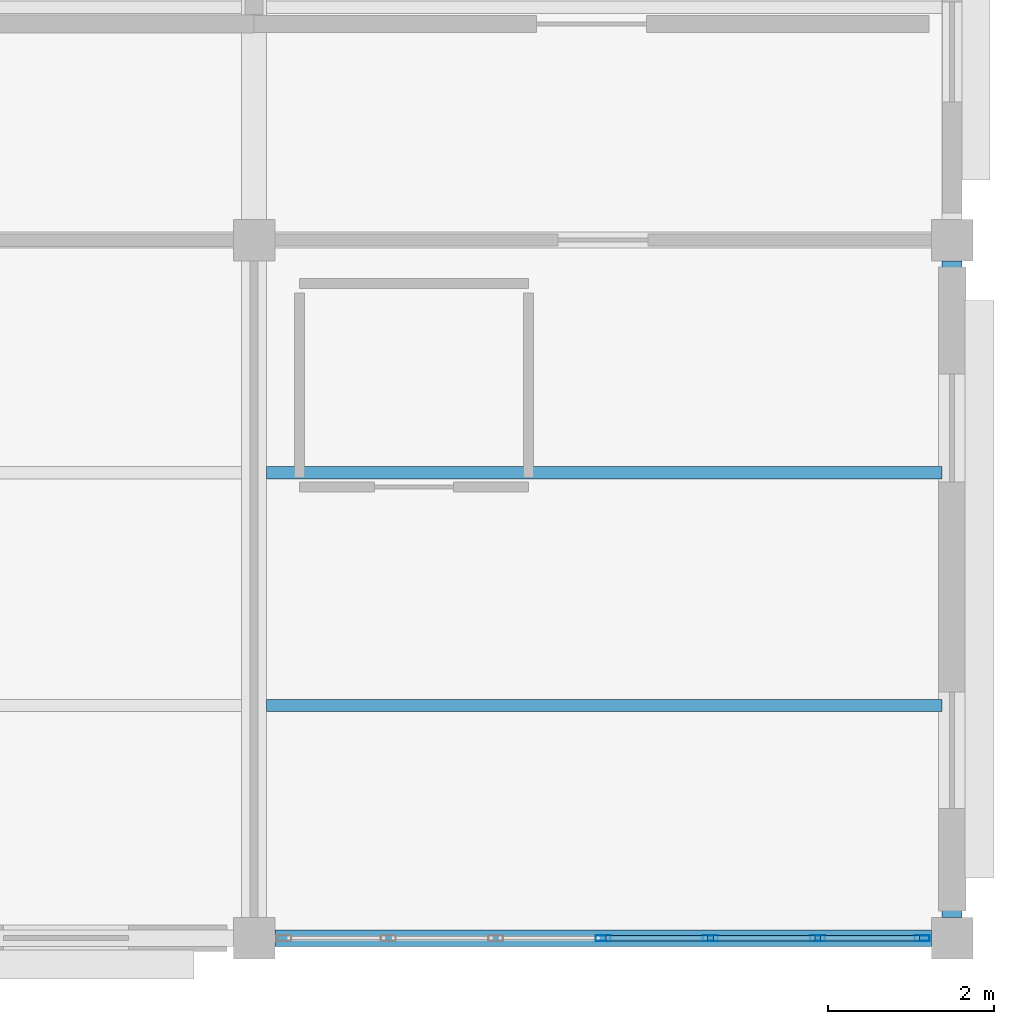
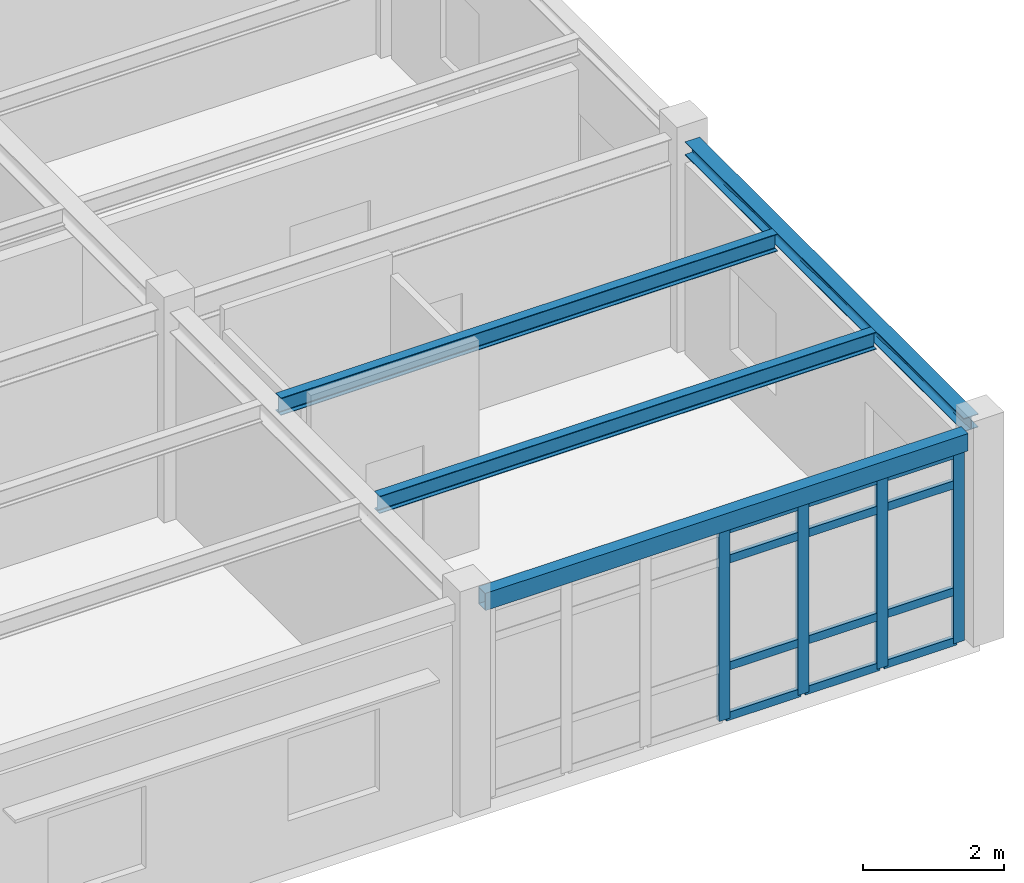
# One storey, part 32 of 86: 16 members, 4 beams, 1 element without a shape of its own.
"""IFC4 building model written with IfcOpenShell, lengths in metres."""

from ifc_helpers import new_model, si_unit, direction, frame, origin, origin_2d, place, context, subcontext, project, spatial, hollow_rectangle, i_section, extrude, material, layer, layer_set, material_profile, profile_set, type_object, element, aggregate, save


model = new_model("IFC4")

# Units and contexts
model_context = context("Model", 3, precision=1e-05, world=origin(), true_north=direction((0.0, 1.0)))
body_context = subcontext(model_context, "Body", "Model", "MODEL_VIEW")
ifc_project = project(units=[si_unit("LENGTHUNIT", "METRE"), si_unit("AREAUNIT", "SQUARE_METRE"), si_unit("VOLUMEUNIT", "CUBIC_METRE"), si_unit("PLANEANGLEUNIT", "RADIAN"), si_unit("MASSUNIT", "GRAM", prefix="KILO")], contexts=[model_context])

# Site, building, storey
site_placement = place(None, origin())
site = spatial("IfcSite", under=ifc_project, at=site_placement, CompositionType="ELEMENT")
building_placement = place(site_placement, origin())
building = spatial("IfcBuilding", under=site, at=building_placement, Name="Bramfleet General Hospital", CompositionType="ELEMENT")
storey_placement = place(building_placement, frame((0.0, 0.0, 18.60009765625)))
storey = spatial("IfcBuildingStorey", under=building, at=storey_placement, Name="L04", CompositionType="ELEMENT", Elevation=18.60009765625)

# Beams
ifc_material_1 = material(Name="Steel S355", Category="steel")
ifc_material_profile_1 = material_profile(ifc_material_1, i_section(OverallWidth=0.239990234375, OverallDepth=0.22998046875, WebThickness=0.007568359375, FlangeThickness=0.011962890625, FilletRadius=0.02099609375, at=origin_2d()), Name="HEA 240")
ifc_profile_set_1 = profile_set([ifc_material_profile_1], Name="Steel S355")
beam_type_1 = type_object("IfcBeamType", Name="BM-HEA240", PredefinedType="SPANDREL", material=ifc_profile_set_1)
beam_1_placement = place(storey_placement, frame((168.0, 0.25, 3.494873046875), z_axis=(0.0, 1.0, 0.0), x_axis=(-1.0, 0.0, 0.0)))
element("IfcBeam", 1, at=beam_1_placement, inside=storey, type_object=beam_type_1, Name="L04 Grid Beam Y 20-00", PredefinedType="SPANDREL", context=body_context, shape_type="SweptSolid", body=[
    extrude(i_section(OverallWidth=0.239990234375, OverallDepth=0.22998046875, WebThickness=0.007568359375, FlangeThickness=0.011962890625, FilletRadius=0.02099609375, at=origin_2d()), origin(), (0.0, 0.0, 1.0), 7.89990234375),
])
ifc_material_profile_2 = material_profile(ifc_material_1, i_section(OverallWidth=0.14990234375, OverallDepth=0.300048828125, WebThickness=0.007080078125, FlangeThickness=0.0107421875, FilletRadius=0.014892578125, at=origin_2d()), Name="IPE 300")
ifc_profile_set_2 = profile_set([ifc_material_profile_2], Name="Steel S355")
beam_type_2 = type_object("IfcBeamType", Name="BM-IPE300", PredefinedType="JOIST", material=ifc_profile_set_2)
for number, where, z_axis, x_axis, name in (
    (2, (159.75, 2.800048828125, 3.4599609375), (1.0, 0.0, 0.0), (0.0, 1.0, 0.0), "L04 Secondary Joist 19-00-1"),
    (3, (159.75, 5.60009765625, 3.4599609375), (1.0, 0.0, 0.0), (0.0, 1.0, 0.0), "L04 Secondary Joist 19-00-2"),
):
    element("IfcBeam", number, at=place(storey_placement, frame(where, z_axis=z_axis, x_axis=x_axis)), inside=storey, type_object=beam_type_2, Name=name, PredefinedType="JOIST", context=body_context, shape_type="SweptSolid", body=[
        extrude(i_section(OverallWidth=0.14990234375, OverallDepth=0.300048828125, WebThickness=0.007080078125, FlangeThickness=0.0107421875, FilletRadius=0.014892578125, at=origin_2d()), origin(), (0.0, 0.0, 1.0), 8.1298828125),
    ])
ifc_material_profile_3 = material_profile(ifc_material_1, hollow_rectangle(XDim=0.199951171875, YDim=0.300048828125, WallThickness=0.012451171875, at=origin_2d()), Name="RHS 300x200x12.5")
ifc_profile_set_3 = profile_set([ifc_material_profile_3], Name="Steel S355")
beam_type_3 = type_object("IfcBeamType", Name="BM-RHS300", PredefinedType="SPANDREL", material=ifc_profile_set_3)
beam_2_placement = place(storey_placement, frame((159.85009765625, 0.0, 3.4599609375), z_axis=(1.0, 0.0, 0.0), x_axis=(0.0, 1.0, 0.0)))
element("IfcBeam", 4, at=beam_2_placement, inside=storey, type_object=beam_type_3, Name="L04 Grid Beam X 19-00", PredefinedType="SPANDREL", context=body_context, shape_type="SweptSolid", body=[
    extrude(hollow_rectangle(XDim=0.199951171875, YDim=0.300048828125, WallThickness=0.012451171875, at=origin_2d()), origin(), (0.0, 0.0, 1.0), 7.89990234375),
])

# Curtain wall, members
ifc_material_2 = material(Name="Anodised aluminium and low-E triple glazing", Category="aluminium")
ifc_layer = layer(ifc_material_2, 0.179931640625, Name="CWT-CW-15")
ifc_layer_set = layer_set([ifc_layer], Name="Anodised aluminium and low-E triple glazing")
curtain_wall_type = type_object("IfcCurtainWallType", Name="CWT-CW-15", PredefinedType="USERDEFINED", material=ifc_layer_set)
curtain_wall_placement = place(storey_placement, origin())
curtain_wall = element("IfcCurtainWall", 5, at=curtain_wall_placement, inside=storey, type_object=curtain_wall_type, Name="L04 Curtain Wall 195", ObjectType="Stick curtain wall", PredefinedType="USERDEFINED")
ifc_material_3 = material(Name="Anodised aluminium EN AW-6060", Category="aluminium")
ifc_material_profile_4 = material_profile(ifc_material_3, hollow_rectangle(XDim=0.070068359375, YDim=0.179931640625, WallThickness=0.00390625, at=origin_2d()), Name="ALU 180x70x4.0")
ifc_profile_set_4 = profile_set([ifc_material_profile_4], Name="Anodised aluminium EN AW-6060")
member_type_1 = type_object("IfcMemberType", Name="CWM-ALU180", PredefinedType="MULLION", material=ifc_profile_set_4)
member_1_placement = place(storey_placement, frame((167.639892578125, 0.0, 0.0), z_axis=(0.0, 0.0, 1.0), x_axis=(0.0, -1.0, 0.0)))
member_1 = element("IfcMember", 6, at=member_1_placement, type_object=member_type_1, Name="CW-15 mullion 1", PredefinedType="MULLION", context=body_context, shape_type="SweptSolid", body=[
    extrude(hollow_rectangle(XDim=0.070068359375, YDim=0.179931640625, WallThickness=0.00390625, at=origin_2d()), origin(), (0.0, 0.0, 1.0), 3.2998046875),
])
member_2_placement = place(storey_placement, frame((166.38330078125, 0.0, 0.0), z_axis=(0.0, 0.0, 1.0), x_axis=(0.0, -1.0, 0.0)))
member_2 = element("IfcMember", 7, at=member_2_placement, type_object=member_type_1, Name="CW-15 mullion 2", PredefinedType="MULLION", context=body_context, shape_type="SweptSolid", body=[
    extrude(hollow_rectangle(XDim=0.070068359375, YDim=0.179931640625, WallThickness=0.00390625, at=origin_2d()), origin(), (0.0, 0.0, 1.0), 3.2998046875),
])
member_3_placement = place(storey_placement, frame((165.091552734375, 0.0, 0.0), z_axis=(0.0, 0.0, 1.0), x_axis=(0.0, -1.0, 0.0)))
member_3 = element("IfcMember", 8, at=member_3_placement, type_object=member_type_1, Name="CW-15 mullion 3", PredefinedType="MULLION", context=body_context, shape_type="SweptSolid", body=[
    extrude(hollow_rectangle(XDim=0.070068359375, YDim=0.179931640625, WallThickness=0.00390625, at=origin_2d()), origin(), (0.0, 0.0, 1.0), 3.2998046875),
])
member_4_placement = place(storey_placement, frame((163.800048828125, 0.0, 0.0), z_axis=(0.0, 0.0, 1.0), x_axis=(0.0, -1.0, 0.0)))
member_4 = element("IfcMember", 9, at=member_4_placement, type_object=member_type_1, Name="CW-15 mullion 4", PredefinedType="MULLION", context=body_context, shape_type="SweptSolid", body=[
    extrude(hollow_rectangle(XDim=0.070068359375, YDim=0.179931640625, WallThickness=0.00390625, at=origin_2d()), origin(), (0.0, 0.0, 1.0), 3.2998046875),
])
ifc_material_profile_5 = material_profile(ifc_material_3, hollow_rectangle(XDim=0.06494140625, YDim=0.139892578125, WallThickness=0.00390625, at=origin_2d()), Name="ALU 140x65x4.0")
ifc_profile_set_5 = profile_set([ifc_material_profile_5], Name="Anodised aluminium EN AW-6060")
member_type_2 = type_object("IfcMemberType", Name="CWT-ALU140", PredefinedType="USERDEFINED", material=ifc_profile_set_5)
member_5_placement = place(storey_placement, frame((167.60498046875, 0.0, 0.032470703125), z_axis=(-1.0, 0.0, 0.0), x_axis=(0.0, -1.0, 0.0)))
member_5 = element("IfcMember", 10, at=member_5_placement, type_object=member_type_2, Name="CW-15 transom 1.1", ObjectType="TRANSOM", PredefinedType="USERDEFINED", context=body_context, shape_type="SweptSolid", body=[
    extrude(hollow_rectangle(XDim=0.06494140625, YDim=0.139892578125, WallThickness=0.00390625, at=origin_2d()), origin(), (0.0, 0.0, 1.0), 1.186767578125),
])
member_6_placement = place(storey_placement, frame((167.60498046875, 0.0, 0.89990234375), z_axis=(-1.0, 0.0, 0.0), x_axis=(0.0, -1.0, 0.0)))
member_6 = element("IfcMember", 11, at=member_6_placement, type_object=member_type_2, Name="CW-15 transom 1.2", ObjectType="TRANSOM", PredefinedType="USERDEFINED", context=body_context, shape_type="SweptSolid", body=[
    extrude(hollow_rectangle(XDim=0.06494140625, YDim=0.139892578125, WallThickness=0.00390625, at=origin_2d()), origin(), (0.0, 0.0, 1.0), 1.186767578125),
])
member_7_placement = place(storey_placement, frame((167.60498046875, 0.0, 2.75), z_axis=(-1.0, 0.0, 0.0), x_axis=(0.0, -1.0, 0.0)))
member_7 = element("IfcMember", 12, at=member_7_placement, type_object=member_type_2, Name="CW-15 transom 1.3", ObjectType="TRANSOM", PredefinedType="USERDEFINED", context=body_context, shape_type="SweptSolid", body=[
    extrude(hollow_rectangle(XDim=0.06494140625, YDim=0.139892578125, WallThickness=0.00390625, at=origin_2d()), origin(), (0.0, 0.0, 1.0), 1.186767578125),
])
member_8_placement = place(storey_placement, frame((167.60498046875, 0.0, 3.267333984375), z_axis=(-1.0, 0.0, 0.0), x_axis=(0.0, -1.0, 0.0)))
member_8 = element("IfcMember", 13, at=member_8_placement, type_object=member_type_2, Name="CW-15 transom 1.4", ObjectType="TRANSOM", PredefinedType="USERDEFINED", context=body_context, shape_type="SweptSolid", body=[
    extrude(hollow_rectangle(XDim=0.06494140625, YDim=0.139892578125, WallThickness=0.00390625, at=origin_2d()), origin(), (0.0, 0.0, 1.0), 1.186767578125),
])
member_9_placement = place(storey_placement, frame((166.348388671875, 0.0, 0.032470703125), z_axis=(-1.0, 0.0, 0.0), x_axis=(0.0, -1.0, 0.0)))
member_9 = element("IfcMember", 14, at=member_9_placement, type_object=member_type_2, Name="CW-15 transom 2.1", ObjectType="TRANSOM", PredefinedType="USERDEFINED", context=body_context, shape_type="SweptSolid", body=[
    extrude(hollow_rectangle(XDim=0.06494140625, YDim=0.139892578125, WallThickness=0.00390625, at=origin_2d()), origin(), (0.0, 0.0, 1.0), 1.2216796875),
])
member_10_placement = place(storey_placement, frame((166.348388671875, 0.0, 0.89990234375), z_axis=(-1.0, 0.0, 0.0), x_axis=(0.0, -1.0, 0.0)))
member_10 = element("IfcMember", 15, at=member_10_placement, type_object=member_type_2, Name="CW-15 transom 2.2", ObjectType="TRANSOM", PredefinedType="USERDEFINED", context=body_context, shape_type="SweptSolid", body=[
    extrude(hollow_rectangle(XDim=0.06494140625, YDim=0.139892578125, WallThickness=0.00390625, at=origin_2d()), origin(), (0.0, 0.0, 1.0), 1.2216796875),
])
member_11_placement = place(storey_placement, frame((166.348388671875, 0.0, 2.75), z_axis=(-1.0, 0.0, 0.0), x_axis=(0.0, -1.0, 0.0)))
member_11 = element("IfcMember", 16, at=member_11_placement, type_object=member_type_2, Name="CW-15 transom 2.3", ObjectType="TRANSOM", PredefinedType="USERDEFINED", context=body_context, shape_type="SweptSolid", body=[
    extrude(hollow_rectangle(XDim=0.06494140625, YDim=0.139892578125, WallThickness=0.00390625, at=origin_2d()), origin(), (0.0, 0.0, 1.0), 1.2216796875),
])
member_12_placement = place(storey_placement, frame((166.348388671875, 0.0, 3.267333984375), z_axis=(-1.0, 0.0, 0.0), x_axis=(0.0, -1.0, 0.0)))
member_12 = element("IfcMember", 17, at=member_12_placement, type_object=member_type_2, Name="CW-15 transom 2.4", ObjectType="TRANSOM", PredefinedType="USERDEFINED", context=body_context, shape_type="SweptSolid", body=[
    extrude(hollow_rectangle(XDim=0.06494140625, YDim=0.139892578125, WallThickness=0.00390625, at=origin_2d()), origin(), (0.0, 0.0, 1.0), 1.2216796875),
])
member_13_placement = place(storey_placement, frame((165.056640625, 0.0, 0.032470703125), z_axis=(-1.0, 0.0, 0.0), x_axis=(0.0, -1.0, 0.0)))
member_13 = element("IfcMember", 18, at=member_13_placement, type_object=member_type_2, Name="CW-15 transom 3.1", ObjectType="TRANSOM", PredefinedType="USERDEFINED", context=body_context, shape_type="SweptSolid", body=[
    extrude(hollow_rectangle(XDim=0.06494140625, YDim=0.139892578125, WallThickness=0.00390625, at=origin_2d()), origin(), (0.0, 0.0, 1.0), 1.2216796875),
])
member_14_placement = place(storey_placement, frame((165.056640625, 0.0, 0.89990234375), z_axis=(-1.0, 0.0, 0.0), x_axis=(0.0, -1.0, 0.0)))
member_14 = element("IfcMember", 19, at=member_14_placement, type_object=member_type_2, Name="CW-15 transom 3.2", ObjectType="TRANSOM", PredefinedType="USERDEFINED", context=body_context, shape_type="SweptSolid", body=[
    extrude(hollow_rectangle(XDim=0.06494140625, YDim=0.139892578125, WallThickness=0.00390625, at=origin_2d()), origin(), (0.0, 0.0, 1.0), 1.2216796875),
])
member_15_placement = place(storey_placement, frame((165.056640625, 0.0, 2.75), z_axis=(-1.0, 0.0, 0.0), x_axis=(0.0, -1.0, 0.0)))
member_15 = element("IfcMember", 20, at=member_15_placement, type_object=member_type_2, Name="CW-15 transom 3.3", ObjectType="TRANSOM", PredefinedType="USERDEFINED", context=body_context, shape_type="SweptSolid", body=[
    extrude(hollow_rectangle(XDim=0.06494140625, YDim=0.139892578125, WallThickness=0.00390625, at=origin_2d()), origin(), (0.0, 0.0, 1.0), 1.2216796875),
])
member_16_placement = place(storey_placement, frame((165.056640625, 0.0, 3.267333984375), z_axis=(-1.0, 0.0, 0.0), x_axis=(0.0, -1.0, 0.0)))
member_16 = element("IfcMember", 21, at=member_16_placement, type_object=member_type_2, Name="CW-15 transom 3.4", ObjectType="TRANSOM", PredefinedType="USERDEFINED", context=body_context, shape_type="SweptSolid", body=[
    extrude(hollow_rectangle(XDim=0.06494140625, YDim=0.139892578125, WallThickness=0.00390625, at=origin_2d()), origin(), (0.0, 0.0, 1.0), 1.2216796875),
])
aggregate(curtain_wall, [member_1, member_2, member_3, member_4, member_5, member_6, member_7, member_8, member_9, member_10, member_11, member_12, member_13, member_14, member_15, member_16])

save(model, "model.ifc")
